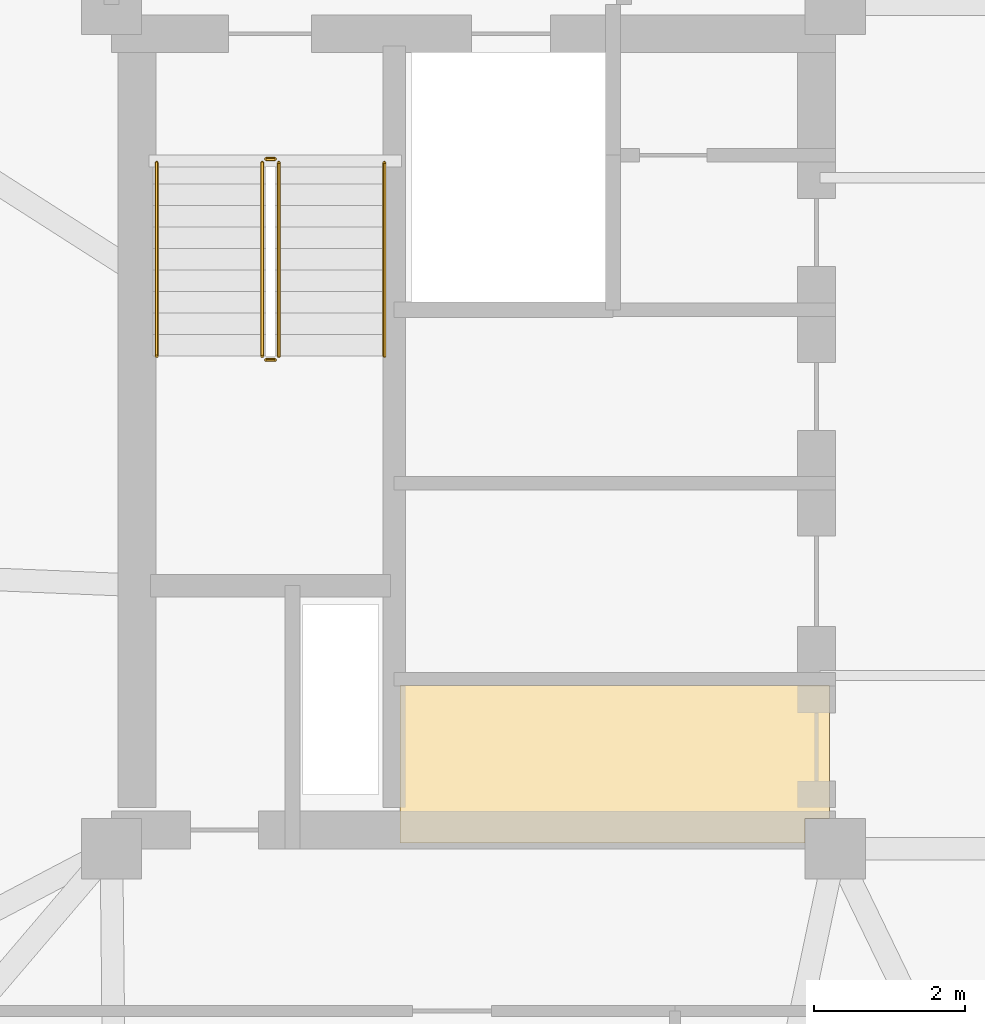
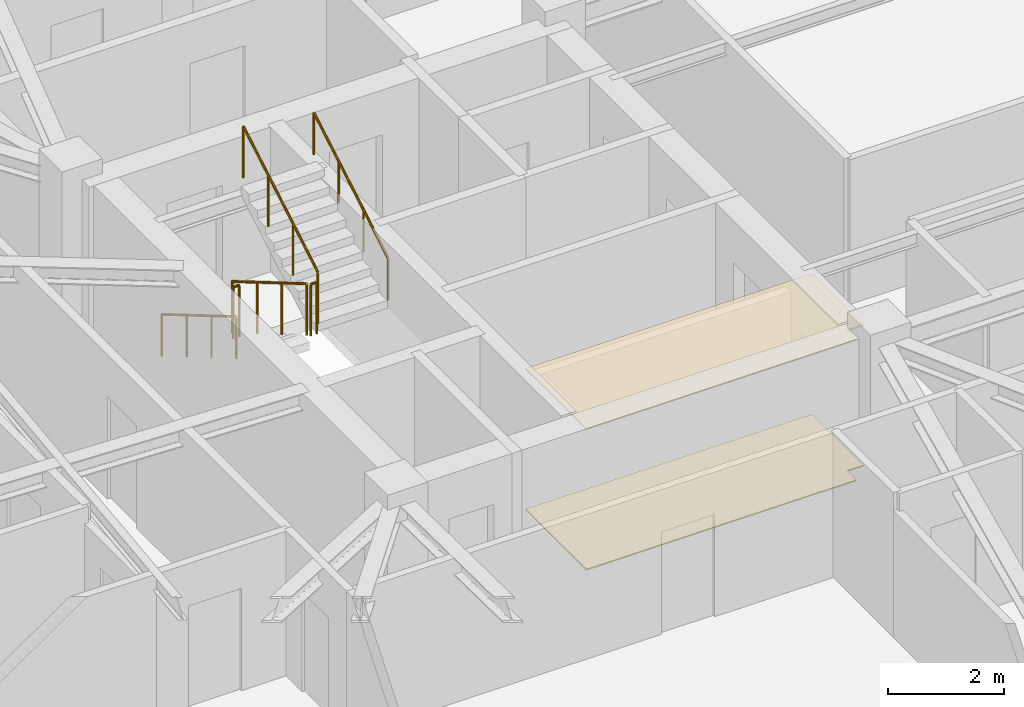
# One storey, part 11 of 13: 6 railings, 2 coverings.
"""IFC4 building model written with IfcOpenShell, lengths in metres."""

import ifcopenshell
import ifcopenshell.guid

model = None  # the IFC model being written
_history = None  # IfcOwnerHistory: only IFC2X3 demands one
_inside = {}  # id of a spatial element -> (the spatial element, [elements in it])
_under = {}  # id of a project, library or spatial element -> (it, [spatial elements below it])
_declared = {}  # id of a project -> (the project, [libraries it declares])
_typed = {}  # id of a type object -> (the type object, [elements of that type])
_made_of = {}  # id of a material, layer set ... -> (it, [elements and type objects made of it])


def new_model(schema):
    """Start an empty IFC model of exactly this schema.

    Asked for "IFC4X3", IfcOpenShell would pick the latest addendum, in which some entities
    have other attributes; the version numbers below select the first issue.
    IFC2X3 requires an IfcOwnerHistory on every rooted entity: one is made here for all.
    """
    global model, _history
    if schema == "IFC4X3":
        model = ifcopenshell.file(schema_version=(4, 3, 0, 0))
    else:
        model = ifcopenshell.file(schema=schema)
    _inside.clear()
    _under.clear()
    _declared.clear()
    _typed.clear()
    _made_of.clear()
    _history = None
    if model.schema == "IFC2X3":
        org = make("IfcOrganization", Name="unknown")
        user = make(
            "IfcPersonAndOrganization",
            ThePerson=make("IfcPerson", FamilyName="unknown"),
            TheOrganization=org,
        )
        app = make(
            "IfcApplication",
            ApplicationDeveloper=org,
            Version="unknown",
            ApplicationFullName="unknown",
            ApplicationIdentifier="unknown",
        )
        _history = make(
            "IfcOwnerHistory",
            OwningUser=user,
            OwningApplication=app,
            ChangeAction="ADDED",
            CreationDate=0,
        )
    return model


def make(cls, **values):
    """One entity of the class cls with the attributes given. An attribute that is None is left unset."""
    return model.create_entity(
        cls, **{name: value for name, value in values.items() if value is not None}
    )


def rooted(cls, **values):
    """An entity with a GlobalId (a new one), such as an element, a storey or a relation."""
    return make(cls, GlobalId=ifcopenshell.guid.new(), OwnerHistory=_history, **values)


def si_unit(unit_type, name, prefix=None):
    """IfcSIUnit, for example si_unit("LENGTHUNIT", "METRE", prefix="MILLI")."""
    return make("IfcSIUnit", UnitType=unit_type, Prefix=prefix, Name=name)


def assignment(units):
    """IfcUnitAssignment: the units of a project."""
    return None if units is None else make("IfcUnitAssignment", Units=units)


def point(xyz):
    """IfcCartesianPoint."""
    return None if xyz is None else make("IfcCartesianPoint", Coordinates=xyz)


def direction(xyz):
    """IfcDirection."""
    return None if xyz is None else make("IfcDirection", DirectionRatios=xyz)


def frame(location, z_axis=None, x_axis=None):
    """IfcAxis2Placement3D, a coordinate frame: its origin and axes. An axis left out is left unset."""
    return make(
        "IfcAxis2Placement3D",
        Location=point(location),
        Axis=direction(z_axis),
        RefDirection=direction(x_axis),
    )


def frame_2d(location, x_axis=None):
    """IfcAxis2Placement2D, a coordinate frame in the plane: its origin and x axis."""
    return make(
        "IfcAxis2Placement2D", Location=point(location), RefDirection=direction(x_axis)
    )


def origin():
    """The frame at (0, 0, 0) with its axes left unset."""
    return frame((0.0, 0.0, 0.0))


def origin_2d():
    """The frame at (0, 0) in the plane with its x axis left unset."""
    return frame_2d((0.0, 0.0))


def place(relative_to, where):
    """IfcLocalPlacement: puts the frame where relative to a parent placement (None: the world)."""
    return make(
        "IfcLocalPlacement", PlacementRelTo=relative_to, RelativePlacement=where
    )


def context(
    kind, dimensions, precision=None, world=None, true_north=None, identifier=None
):
    """IfcGeometricRepresentationContext, for example the 3D "Model" context."""
    return make(
        "IfcGeometricRepresentationContext",
        ContextIdentifier=identifier,
        ContextType=kind,
        CoordinateSpaceDimension=dimensions,
        Precision=precision,
        WorldCoordinateSystem=world,
        TrueNorth=true_north,
    )


def subcontext(parent, identifier, kind, view, scale=None):
    """IfcGeometricRepresentationSubContext, for example "Body" below "Model"."""
    return make(
        "IfcGeometricRepresentationSubContext",
        ContextIdentifier=identifier,
        ContextType=kind,
        ParentContext=parent,
        TargetScale=scale,
        TargetView=view,
    )


def project(units=None, contexts=None):
    """IfcProject with its units and contexts."""
    return rooted(
        "IfcProject",
        Name="project",
        RepresentationContexts=contexts,
        UnitsInContext=assignment(units),
    )


def spatial(cls, under=None, at=None, **own):
    """A site, building, storey or space (cls), placed at a placement, below another one or the project."""
    s = rooted(cls, ObjectPlacement=at, **own)
    if under is not None:
        _under.setdefault(under.id(), (under, []))[1].append(s)
    return s


def polyline(points):
    """IfcPolyline through the points."""
    return make("IfcPolyline", Points=[point(p) for p in points])


def profile(cls, at=None, kind="AREA", **sizes):
    """A parametric profile (cls). Its sizes go by their IFC names, for example OverallWidth=200.0."""
    return make(cls, ProfileType=kind, Position=at, **sizes)


def circle(**sizes):
    """IfcCircleProfileDef."""
    return profile("IfcCircleProfileDef", **sizes)


def outline(outer, holes=None, kind="AREA"):
    """IfcArbitraryClosedProfileDef: a profile drawn as a closed curve; with holes, ...WithVoids."""
    if holes is None:
        return make("IfcArbitraryClosedProfileDef", ProfileType=kind, OuterCurve=outer)
    return make(
        "IfcArbitraryProfileDefWithVoids",
        ProfileType=kind,
        OuterCurve=outer,
        InnerCurves=holes,
    )


def extrude(swept, where, along, depth):
    """IfcExtrudedAreaSolid: the profile swept, set in the frame where, extruded along a direction by depth."""
    return make(
        "IfcExtrudedAreaSolid",
        SweptArea=swept,
        Position=where,
        ExtrudedDirection=direction(along),
        Depth=depth,
    )


def shape(context_of_items, identifier, shape_type, items):
    """IfcShapeRepresentation: the items that make up one representation, for example the "Body"."""
    return make(
        "IfcShapeRepresentation",
        ContextOfItems=context_of_items,
        RepresentationIdentifier=identifier,
        RepresentationType=shape_type,
        Items=items,
    )


def material(Name=None, Category=None):
    """IfcMaterial."""
    return make("IfcMaterial", Name=Name, Category=Category)


def layer(
    of_material, thickness, ventilated=None, Name=None, Category=None, Priority=None
):
    """IfcMaterialLayer: one layer of a wall or slab, of a material (None: an air gap)."""
    return make(
        "IfcMaterialLayer",
        Material=of_material,
        LayerThickness=thickness,
        IsVentilated=ventilated,
        Name=Name,
        Category=Category,
        Priority=Priority,
    )


def layer_set(layers, Name=None):
    """IfcMaterialLayerSet."""
    return make("IfcMaterialLayerSet", MaterialLayers=layers, LayerSetName=Name)


def made_of(thing, what):
    """Note that an element or type object is made of a material, layer set ...; save() writes the relation."""
    if what is not None:
        _made_of.setdefault(what.id(), (what, []))[1].append(thing)
    return thing


def type_object(cls, material=None, **own):
    """A type object (cls), such as IfcWallType, which elements share."""
    return made_of(rooted(cls, **own), material)


def element(
    cls,
    number,
    at=None,
    inside=None,
    cuts=None,
    type_object=None,
    material=None,
    context=None,
    identifier="Body",
    shape_type=None,
    held_by="IfcProductDefinitionShape",
    body=None,
    shapes=None,
    **own,
):
    """One element of the class cls, such as IfcWall. Its Tag is "e" and its number.

    at: its placement. inside: the storey or other place that contains it. cuts: it is an
    opening in that element (IfcRelVoidsElement). A single representation is given by context,
    identifier, shape_type and body (its items); several are given by shapes. held_by: the class
    of the entity that holds the representations. save() writes the other relations.
    """
    e = rooted(cls, Tag="e%d" % number, ObjectPlacement=at, **own)
    if body is not None:
        shapes = [shape(context, identifier, shape_type, body)]
    if shapes is not None:
        e.Representation = make(held_by, Representations=shapes)
    if inside is not None:
        _inside.setdefault(inside.id(), (inside, []))[1].append(e)
    if cuts is not None:
        rooted(
            "IfcRelVoidsElement", RelatingBuildingElement=cuts, RelatedOpeningElement=e
        )
    if type_object is not None:
        _typed.setdefault(type_object.id(), (type_object, []))[1].append(e)
    return made_of(e, material)


def aggregate(whole, parts):
    """IfcRelAggregates: a whole, such as a stair, and the parts it consists of."""
    return rooted("IfcRelAggregates", RelatingObject=whole, RelatedObjects=parts)


def save(model, path):
    """Write the relations noted so far, then the file.

    IfcRelAggregates (storeys below a building ...), IfcRelContainedInSpatialStructure (elements
    in a storey), IfcRelDefinesByType, IfcRelAssociatesMaterial and IfcRelDeclares: one each for
    every whole, place, type object, material and project.
    """
    for whole, parts in _under.values():
        aggregate(whole, parts)
    for where, things in _inside.values():
        rooted(
            "IfcRelContainedInSpatialStructure",
            RelatedElements=things,
            RelatingStructure=where,
        )
    for kind, things in _typed.values():
        rooted("IfcRelDefinesByType", RelatedObjects=things, RelatingType=kind)
    for what, things in _made_of.values():
        rooted("IfcRelAssociatesMaterial", RelatedObjects=things, RelatingMaterial=what)
    for by, libraries in _declared.values():
        rooted("IfcRelDeclares", RelatingContext=by, RelatedDefinitions=libraries)
    model.write(path)


model = new_model("IFC4")

# Units and contexts
model_context = context("Model", 3, precision=1e-05, world=origin(), true_north=direction((0.0, 1.0)))
body_context = subcontext(model_context, "Body", "Model", "MODEL_VIEW")
ifc_project = project(units=[si_unit("LENGTHUNIT", "METRE"), si_unit("AREAUNIT", "SQUARE_METRE"), si_unit("VOLUMEUNIT", "CUBIC_METRE"), si_unit("PLANEANGLEUNIT", "RADIAN"), si_unit("MASSUNIT", "GRAM", prefix="KILO")], contexts=[model_context])

# Site, building, storey
site_placement = place(None, origin())
site = spatial("IfcSite", under=ifc_project, at=site_placement, CompositionType="ELEMENT")
building_placement = place(site_placement, origin())
building = spatial("IfcBuilding", under=site, at=building_placement, Name="Qobustan Lattice House", CompositionType="ELEMENT")
storey_placement = place(building_placement, frame((0.0, 0.0, 186.35009765625)))
storey = spatial("IfcBuildingStorey", under=building, at=storey_placement, Name="L52", CompositionType="ELEMENT", Elevation=186.35009765625)

# Coverings
ifc_material_1 = material(Name="Perforated gypsum acoustic ceiling", Category="gypsum")
ifc_layer_1 = layer(ifc_material_1, 0.030029296875)
ifc_layer_set_1 = layer_set([ifc_layer_1], Name="Perforated gypsum acoustic ceiling")
covering_type_1 = type_object("IfcCoveringType", Name="COV-ACOUSTIC-CEIL", PredefinedType="CEILING", material=ifc_layer_set_1)
covering_1_placement = place(storey_placement, frame((0.0, 0.0, 2.949951171875)))
element("IfcCovering", 1, at=covering_1_placement, inside=storey, type_object=covering_type_1, Name="L52 Quiet study alcove acoustic ceiling", PredefinedType="CEILING", context=body_context, shape_type="SweptSolid", body=[
    extrude(outline(polyline([(-9.280029296875, -3.429931640625), (-14.969970703125, -3.429931640625), (-14.969970703125, -5.52001953125), (-9.60205078125, -5.52001953125), (-9.60205078125, -5.197998046875), (-9.280029296875, -5.197998046875), (-9.280029296875, -3.429931640625)])), origin(), (0.0, 0.0, 1.0), 0.030029296875),
])
ifc_material_2 = material(Name="Honed Absheron stone terrazzo flooring", Category="masonry")
ifc_layer_2 = layer(ifc_material_2, 0.02490234375)
ifc_layer_set_2 = layer_set([ifc_layer_2], Name="Honed Absheron stone terrazzo flooring")
covering_type_2 = type_object("IfcCoveringType", Name="COV-TERRAZZO-FLR", PredefinedType="FLOORING", material=ifc_layer_set_2)
covering_2_placement = place(storey_placement, origin())
element("IfcCovering", 2, at=covering_2_placement, inside=storey, type_object=covering_type_2, Name="L52 Quiet study alcove stone terrazzo flooring", PredefinedType="FLOORING", context=body_context, shape_type="SweptSolid", body=[
    extrude(outline(polyline([(-9.280029296875, -3.429931640625), (-14.969970703125, -3.429931640625), (-14.969970703125, -5.52001953125), (-9.60205078125, -5.52001953125), (-9.60205078125, -5.197998046875), (-9.280029296875, -5.197998046875), (-9.280029296875, -3.429931640625)])), origin(), (0.0, 0.0, 1.0), 0.02490234375),
])

# Railings
ifc_material_3 = material(Name="Brushed stainless steel handrail", Category="steel")
railing_type_1 = type_object("IfcRailingType", Name="RAL-HR-920", PredefinedType="HANDRAIL", material=ifc_material_3)
railing_1_placement = place(storey_placement, frame((-18.199951171875, 3.5, 0.16748046875)))
element("IfcRailing", 3, at=railing_1_placement, inside=storey, type_object=railing_type_1, Name="L52 ST-W1 stair handrail 1", PredefinedType="HANDRAIL", context=body_context, shape_type="SweptSolid", body=[
    extrude(circle(Radius=0.02392578125, at=origin_2d()), frame((0.0, 0.0, 0.8759765625), z_axis=(0.0, -0.862149314443, 0.506654280161), x_axis=(1.0, 0.0, 0.0)), (0.0, 0.0, 1.0), 2.97509765625),
    extrude(circle(Radius=0.02099609375, at=origin_2d()), origin(), (0.0, 0.0, 1.0), 0.851806640625),
    extrude(circle(Radius=0.02099609375, at=origin_2d()), frame((0.0, -0.85498046875, 0.50244140625)), (0.0, 0.0, 1.0), 0.851806640625),
    extrude(circle(Radius=0.02099609375, at=origin_2d()), frame((0.0, -1.7099609375, 1.0048828125)), (0.0, 0.0, 1.0), 0.851806640625),
    extrude(circle(Radius=0.02099609375, at=origin_2d()), frame((0.0, -2.56494140625, 1.50732421875)), (0.0, 0.0, 1.0), 0.851806640625),
])
railing_2_placement = place(storey_placement, frame((-15.179931640625, 0.93505859375, 1.84228515625)))
element("IfcRailing", 4, at=railing_2_placement, inside=storey, type_object=railing_type_1, Name="L52 ST-W1 stair handrail 2", PredefinedType="HANDRAIL", context=body_context, shape_type="SweptSolid", body=[
    extrude(circle(Radius=0.02392578125, at=origin_2d()), frame((0.0, 0.0, 0.8759765625), z_axis=(0.0, 0.862113467892, 0.50671527358), x_axis=(-1.0, 0.0, 0.0)), (0.0, 0.0, 1.0), 2.97509765625),
    extrude(circle(Radius=0.02099609375, at=origin_2d()), origin(), (0.0, 0.0, 1.0), 0.851806640625),
    extrude(circle(Radius=0.02099609375, at=origin_2d()), frame((0.0, 0.85498046875, 0.50244140625)), (0.0, 0.0, 1.0), 0.851806640625),
    extrude(circle(Radius=0.02099609375, at=origin_2d()), frame((0.0, 1.7099609375, 1.005126953125)), (0.0, 0.0, 1.0), 0.851806640625),
    extrude(circle(Radius=0.02099609375, at=origin_2d()), frame((0.0, 2.56494140625, 1.507568359375)), (0.0, 0.0, 1.0), 0.851806640625),
])
ifc_material_4 = material(Name="Painted galvanized steel guardrail", Category="steel")
railing_type_2 = type_object("IfcRailingType", Name="RAL-STG-1150", PredefinedType="GUARDRAIL", material=ifc_material_4)
railing_3_placement = place(storey_placement, frame((-16.800048828125, 3.5, 0.16748046875)))
element("IfcRailing", 5, at=railing_3_placement, inside=storey, type_object=railing_type_2, Name="L52 ST-W1 stair guard 1", PredefinedType="GUARDRAIL", context=body_context, shape_type="SweptSolid", body=[
    extrude(circle(Radius=0.02392578125, at=origin_2d()), frame((0.0, 0.0, 1.076171875), z_axis=(0.0, -0.862149314443, 0.506654280161), x_axis=(1.0, 0.0, 0.0)), (0.0, 0.0, 1.0), 2.97509765625),
    extrude(circle(Radius=0.02099609375, at=origin_2d()), origin(), (0.0, 0.0, 1.0), 1.052001953125),
    extrude(circle(Radius=0.02099609375, at=origin_2d()), frame((0.0, -0.85498046875, 0.50244140625)), (0.0, 0.0, 1.0), 1.052001953125),
    extrude(circle(Radius=0.02099609375, at=origin_2d()), frame((0.0, -1.7099609375, 1.0048828125)), (0.0, 0.0, 1.0), 1.052001953125),
    extrude(circle(Radius=0.02099609375, at=origin_2d()), frame((0.0, -2.56494140625, 1.50732421875)), (0.0, 0.0, 1.0), 1.052001953125),
])
railing_4_placement = place(storey_placement, frame((-16.75, 0.885009765625, 1.6748046875)))
element("IfcRailing", 6, at=railing_4_placement, inside=storey, type_object=railing_type_2, Name="L52 ST-W1 stair guard 2", PredefinedType="GUARDRAIL", context=body_context, shape_type="SweptSolid", body=[
    extrude(circle(Radius=0.02392578125, at=origin_2d()), frame((0.0, 0.0, 1.076171875), z_axis=(1.0, 0.0, 0.0), x_axis=(0.0, 1.0, 0.0)), (0.0, 0.0, 1.0), 0.1201171875),
    extrude(circle(Radius=0.02099609375, at=origin_2d()), origin(), (0.0, 0.0, 1.0), 1.052001953125),
    extrude(circle(Radius=0.02099609375, at=origin_2d()), frame((0.1201171875, 0.0, 0.0)), (0.0, 0.0, 1.0), 1.052001953125),
])
railing_5_placement = place(storey_placement, frame((-16.580078125, 0.93505859375, 1.84228515625)))
element("IfcRailing", 7, at=railing_5_placement, inside=storey, type_object=railing_type_2, Name="L52 ST-W1 stair guard 3", PredefinedType="GUARDRAIL", context=body_context, shape_type="SweptSolid", body=[
    extrude(circle(Radius=0.02392578125, at=origin_2d()), frame((0.0, 0.0, 1.076171875), z_axis=(0.0, 0.862113467892, 0.50671527358), x_axis=(-1.0, 0.0, 0.0)), (0.0, 0.0, 1.0), 2.97509765625),
    extrude(circle(Radius=0.02099609375, at=origin_2d()), origin(), (0.0, 0.0, 1.0), 1.052001953125),
    extrude(circle(Radius=0.02099609375, at=origin_2d()), frame((0.0, 0.85498046875, 0.50244140625)), (0.0, 0.0, 1.0), 1.052001953125),
    extrude(circle(Radius=0.02099609375, at=origin_2d()), frame((0.0, 1.7099609375, 1.005126953125)), (0.0, 0.0, 1.0), 1.052001953125),
    extrude(circle(Radius=0.02099609375, at=origin_2d()), frame((0.0, 2.56494140625, 1.507568359375)), (0.0, 0.0, 1.0), 1.052001953125),
])
railing_6_placement = place(storey_placement, frame((-16.75, 3.550048828125, 0.0)))
element("IfcRailing", 8, at=railing_6_placement, inside=storey, type_object=railing_type_2, Name="L52 ST-W1 stair guard 4", PredefinedType="GUARDRAIL", context=body_context, shape_type="SweptSolid", body=[
    extrude(circle(Radius=0.02392578125, at=origin_2d()), frame((0.0, 0.0, 1.076171875), z_axis=(1.0, 0.0, 0.0), x_axis=(0.0, 1.0, 0.0)), (0.0, 0.0, 1.0), 0.1201171875),
    extrude(circle(Radius=0.02099609375, at=origin_2d()), origin(), (0.0, 0.0, 1.0), 1.052001953125),
    extrude(circle(Radius=0.02099609375, at=origin_2d()), frame((0.1201171875, 0.0, 0.0)), (0.0, 0.0, 1.0), 1.052001953125),
])

save(model, "model.ifc")
